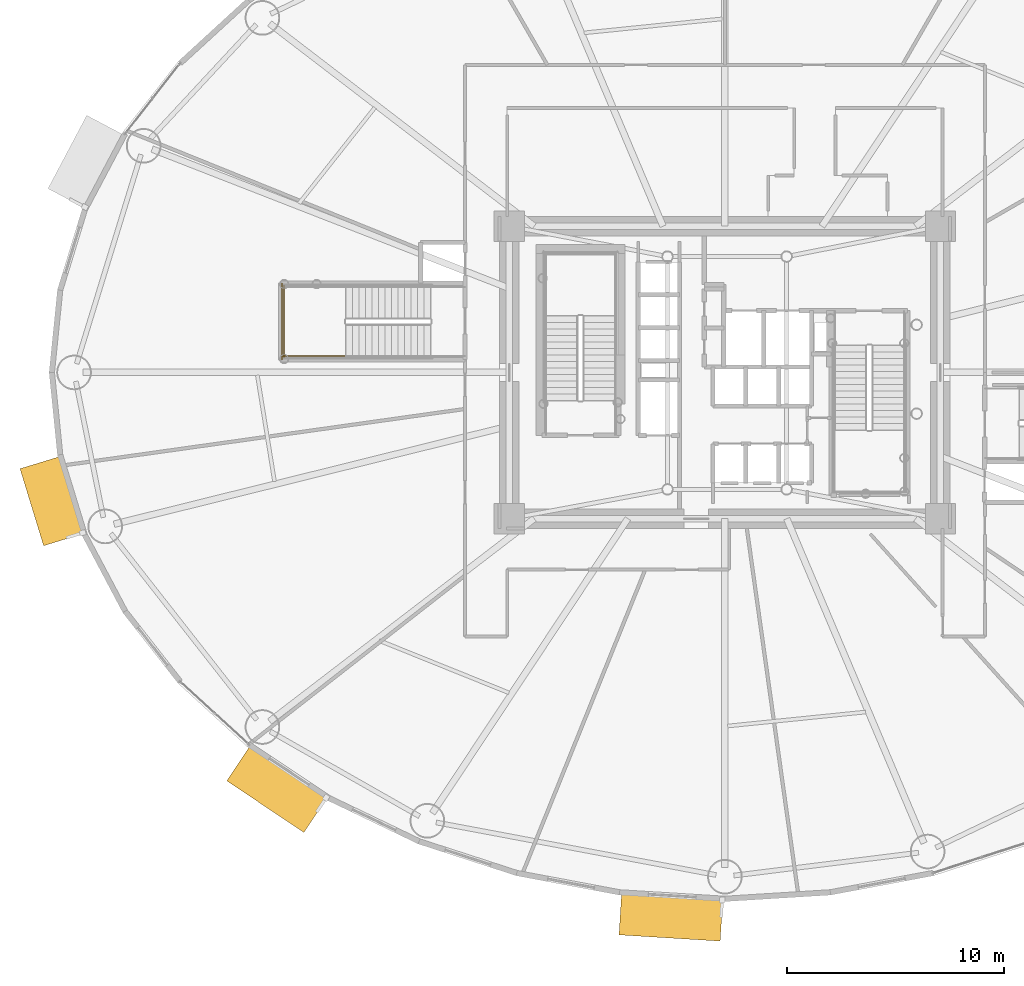
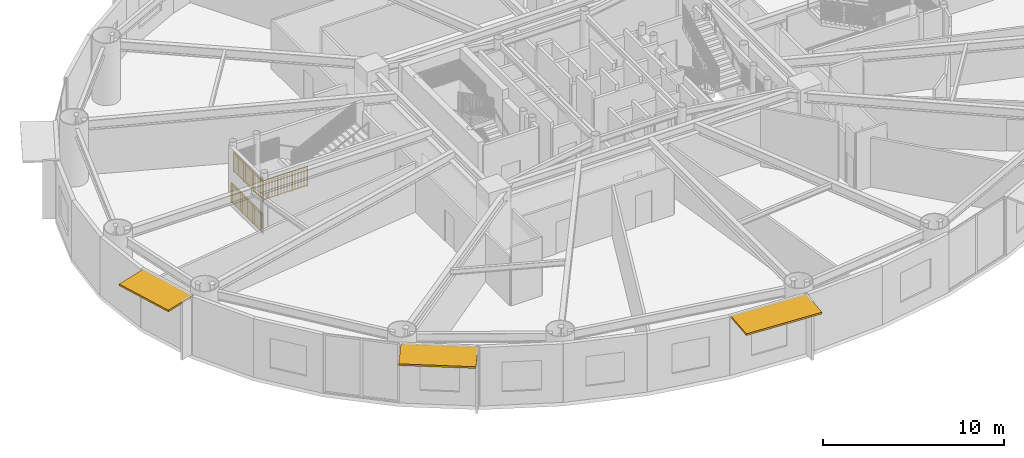
# One storey, part 18 of 29: 3 railings, 3 shading devices.
"""IFC4 building model written with IfcOpenShell, lengths in metres."""

from ifc_helpers import new_model, si_unit, direction, frame, origin, origin_2d, place, context, subcontext, project, spatial, rectangle, extrude, source, transform, mapped, material, layer, layer_set, type_object, element, save


model = new_model("IFC4")

# Units and contexts
model_context = context("Model", 3, precision=1e-05, world=origin(), true_north=direction((0.0, 1.0)))
body_context = subcontext(model_context, "Body", "Model", "MODEL_VIEW")
ifc_project = project(units=[si_unit("LENGTHUNIT", "METRE"), si_unit("AREAUNIT", "SQUARE_METRE"), si_unit("VOLUMEUNIT", "CUBIC_METRE"), si_unit("PLANEANGLEUNIT", "RADIAN"), si_unit("MASSUNIT", "GRAM", prefix="KILO")], contexts=[model_context])

# Site, building, storey
site_placement = place(None, origin())
site = spatial("IfcSite", under=ifc_project, at=site_placement, CompositionType="ELEMENT")
building_placement = place(site_placement, origin())
building = spatial("IfcBuilding", under=site, at=building_placement, Name="Linh Dai School and Residence Tower", CompositionType="ELEMENT")
storey_placement = place(building_placement, frame((0.0, 0.0, 45.0)))
storey = spatial("IfcBuildingStorey", under=building, at=storey_placement, Name="L10", CompositionType="ELEMENT", Elevation=45.0)

# Shading devices
ifc_material_1 = material(Name="Terracotta Ceramic Sunshade", Category="masonry")
ifc_layer = layer(ifc_material_1, 0.1201171875)
ifc_layer_set = layer_set([ifc_layer], Name="Terracotta Ceramic Sunshade")
shading_device_type = type_object("IfcShadingDeviceType", Name="SHD-TC-2000", PredefinedType="USERDEFINED", material=ifc_layer_set)
shared_shape_1 = source(origin(), body_context, "Body", "SweptSolid", [
    extrude(rectangle(XDim=3.7197265625, YDim=2.0, at=origin_2d()), origin(), (0.0, 0.0, 1.0), 0.1201171875),
])
shading_device_1_placement = place(storey_placement, frame((4.956787109375, 21.0693359375, 3.81005859375), z_axis=(0.0, 0.0, 1.0), x_axis=(-0.293145733514, 0.956067769001, 0.0)))
element("IfcShadingDevice", 1, at=shading_device_1_placement, inside=storey, type_object=shading_device_type, Name="L10 Terracotta Horizontal Sunshade Band 22", ObjectType="SUNSHADE", PredefinedType="USERDEFINED", context=body_context, shape_type="MappedRepresentation", body=[
    mapped(shared_shape_1, transform((0.0, 0.0, 0.0), x_axis=(1.0, 0.0, 0.0), y_axis=(0.0, 1.0, 0.0), z_axis=(0.0, 0.0, 1.0), scale=1.0)),
])
shared_shape_2 = source(origin(), body_context, "Body", "SweptSolid", [
    extrude(rectangle(XDim=4.28173828125, YDim=2.0, at=origin_2d()), origin(), (0.0, 0.0, 1.0), 0.1201171875),
])
shading_device_2_placement = place(storey_placement, frame((15.33544921875, 7.7861328125, 3.81005859375), z_axis=(0.0, 0.0, 1.0), x_axis=(-0.831250578927, 0.555897899828, 0.0)))
element("IfcShadingDevice", 2, at=shading_device_2_placement, inside=storey, type_object=shading_device_type, Name="L10 Terracotta Horizontal Sunshade Band 26", ObjectType="SUNSHADE", PredefinedType="USERDEFINED", context=body_context, shape_type="MappedRepresentation", body=[
    mapped(shared_shape_2, transform((0.0, 0.0, 0.0), x_axis=(1.0, 0.0, 0.0), y_axis=(0.0, 1.0, 0.0), z_axis=(0.0, 0.0, 1.0), scale=1.0)),
])
shared_shape_3 = source(origin(), body_context, "Body", "SweptSolid", [
    extrude(rectangle(XDim=4.6796875, YDim=2.0, at=origin_2d()), origin(), (0.0, 0.0, 1.0), 0.1201171875),
])
shading_device_3_placement = place(storey_placement, frame((33.50830078125, 1.88671875, 3.81005859375), z_axis=(0.0, 0.0, 1.0), x_axis=(-0.998106677027, 0.061506595367, 0.0)))
element("IfcShadingDevice", 3, at=shading_device_3_placement, inside=storey, type_object=shading_device_type, Name="L10 Terracotta Horizontal Sunshade Band 30", ObjectType="SUNSHADE", PredefinedType="USERDEFINED", context=body_context, shape_type="MappedRepresentation", body=[
    mapped(shared_shape_3, transform((0.0, 0.0, 0.0), x_axis=(1.0, 0.0, 0.0), y_axis=(0.0, 1.0, 0.0), z_axis=(0.0, 0.0, 1.0), scale=1.0)),
])

# Railings
ifc_material_2 = material(Name="Structural Steel S355JR", Category="steel")
railing_type = type_object("IfcRailingType", Name="RL-ST-GUARD-1400", PredefinedType="GUARDRAIL", material=ifc_material_2)
shared_shape_4 = source(origin(), body_context, "Body", "SweptSolid", [
    extrude(rectangle(XDim=0.048095703125, YDim=0.048095703125, at=origin_2d()), frame((0.0, 0.0, 1.3759765625), z_axis=(0.0, -1.0, 0.0), x_axis=(1.0, 0.0, 0.0)), (0.0, 0.0, 1.0), 3.300048828125),
    extrude(rectangle(XDim=0.048095703125, YDim=0.048095703125, at=origin_2d()), frame((0.0, 0.0, 0.10009765625), z_axis=(0.0, -1.0, 0.0), x_axis=(1.0, 0.0, 0.0)), (0.0, 0.0, 1.0), 3.300048828125),
    extrude(rectangle(XDim=0.030029296875, YDim=0.030029296875, at=origin_2d()), frame((0.0, 0.0, 1.239990234375), z_axis=(0.0, -1.0, 0.0), x_axis=(1.0, 0.0, 0.0)), (0.0, 0.0, 1.0), 3.300048828125),
    extrude(rectangle(XDim=0.02001953125, YDim=0.02001953125, at=origin_2d()), frame((0.0, -0.09716796875, 0.10009765625)), (0.0, 0.0, 1.0), 1.251708984375),
    extrude(rectangle(XDim=0.02001953125, YDim=0.02001953125, at=origin_2d()), frame((0.0, -0.194091796875, 0.10009765625)), (0.0, 0.0, 1.0), 1.251708984375),
    extrude(rectangle(XDim=0.02001953125, YDim=0.02001953125, at=origin_2d()), frame((0.0, -0.291259765625, 0.10009765625)), (0.0, 0.0, 1.0), 1.251708984375),
    extrude(rectangle(XDim=0.02001953125, YDim=0.02001953125, at=origin_2d()), frame((0.0, -0.38818359375, 0.10009765625)), (0.0, 0.0, 1.0), 1.251708984375),
    extrude(rectangle(XDim=0.02001953125, YDim=0.02001953125, at=origin_2d()), frame((0.0, -0.4853515625, 0.10009765625)), (0.0, 0.0, 1.0), 1.251708984375),
    extrude(rectangle(XDim=0.02001953125, YDim=0.02001953125, at=origin_2d()), frame((0.0, -0.582275390625, 0.10009765625)), (0.0, 0.0, 1.0), 1.251708984375),
    extrude(rectangle(XDim=0.02001953125, YDim=0.02001953125, at=origin_2d()), frame((0.0, -0.679443359375, 0.10009765625)), (0.0, 0.0, 1.0), 1.251708984375),
    extrude(rectangle(XDim=0.02001953125, YDim=0.02001953125, at=origin_2d()), frame((0.0, -0.7763671875, 0.10009765625)), (0.0, 0.0, 1.0), 1.251708984375),
    extrude(rectangle(XDim=0.02001953125, YDim=0.02001953125, at=origin_2d()), frame((0.0, -0.87353515625, 0.10009765625)), (0.0, 0.0, 1.0), 1.251708984375),
    extrude(rectangle(XDim=0.02001953125, YDim=0.02001953125, at=origin_2d()), frame((0.0, -0.970703125, 0.10009765625)), (0.0, 0.0, 1.0), 1.251708984375),
    extrude(rectangle(XDim=0.02001953125, YDim=0.02001953125, at=origin_2d()), frame((0.0, -1.164794921875, 0.10009765625)), (0.0, 0.0, 1.0), 1.251708984375),
    extrude(rectangle(XDim=0.02001953125, YDim=0.02001953125, at=origin_2d()), frame((0.0, -1.26171875, 0.10009765625)), (0.0, 0.0, 1.0), 1.251708984375),
    extrude(rectangle(XDim=0.02001953125, YDim=0.02001953125, at=origin_2d()), frame((0.0, -1.35888671875, 0.10009765625)), (0.0, 0.0, 1.0), 1.251708984375),
    extrude(rectangle(XDim=0.02001953125, YDim=0.02001953125, at=origin_2d()), frame((0.0, -1.455810546875, 0.10009765625)), (0.0, 0.0, 1.0), 1.251708984375),
    extrude(rectangle(XDim=0.02001953125, YDim=0.02001953125, at=origin_2d()), frame((0.0, -1.552978515625, 0.10009765625)), (0.0, 0.0, 1.0), 1.251708984375),
    extrude(rectangle(XDim=0.02001953125, YDim=0.02001953125, at=origin_2d()), frame((0.0, -1.64990234375, 0.10009765625)), (0.0, 0.0, 1.0), 1.251708984375),
    extrude(rectangle(XDim=0.02001953125, YDim=0.02001953125, at=origin_2d()), frame((0.0, -1.7470703125, 0.10009765625)), (0.0, 0.0, 1.0), 1.251708984375),
    extrude(rectangle(XDim=0.02001953125, YDim=0.02001953125, at=origin_2d()), frame((0.0, -1.84423828125, 0.10009765625)), (0.0, 0.0, 1.0), 1.251708984375),
    extrude(rectangle(XDim=0.02001953125, YDim=0.02001953125, at=origin_2d()), frame((0.0, -1.941162109375, 0.10009765625)), (0.0, 0.0, 1.0), 1.251708984375),
    extrude(rectangle(XDim=0.02001953125, YDim=0.02001953125, at=origin_2d()), frame((0.0, -2.038330078125, 0.10009765625)), (0.0, 0.0, 1.0), 1.251708984375),
    extrude(rectangle(XDim=0.02001953125, YDim=0.02001953125, at=origin_2d()), frame((0.0, -2.13525390625, 0.10009765625)), (0.0, 0.0, 1.0), 1.251708984375),
    extrude(rectangle(XDim=0.02001953125, YDim=0.02001953125, at=origin_2d()), frame((0.0, -2.329345703125, 0.10009765625)), (0.0, 0.0, 1.0), 1.251708984375),
    extrude(rectangle(XDim=0.02001953125, YDim=0.02001953125, at=origin_2d()), frame((0.0, -2.426513671875, 0.10009765625)), (0.0, 0.0, 1.0), 1.251708984375),
    extrude(rectangle(XDim=0.02001953125, YDim=0.02001953125, at=origin_2d()), frame((0.0, -2.523681640625, 0.10009765625)), (0.0, 0.0, 1.0), 1.251708984375),
    extrude(rectangle(XDim=0.02001953125, YDim=0.02001953125, at=origin_2d()), frame((0.0, -2.62060546875, 0.10009765625)), (0.0, 0.0, 1.0), 1.251708984375),
    extrude(rectangle(XDim=0.02001953125, YDim=0.02001953125, at=origin_2d()), frame((0.0, -2.7177734375, 0.10009765625)), (0.0, 0.0, 1.0), 1.251708984375),
    extrude(rectangle(XDim=0.02001953125, YDim=0.02001953125, at=origin_2d()), frame((0.0, -2.814697265625, 0.10009765625)), (0.0, 0.0, 1.0), 1.251708984375),
    extrude(rectangle(XDim=0.02001953125, YDim=0.02001953125, at=origin_2d()), frame((0.0, -2.911865234375, 0.10009765625)), (0.0, 0.0, 1.0), 1.251708984375),
    extrude(rectangle(XDim=0.02001953125, YDim=0.02001953125, at=origin_2d()), frame((0.0, -3.0087890625, 0.10009765625)), (0.0, 0.0, 1.0), 1.251708984375),
    extrude(rectangle(XDim=0.02001953125, YDim=0.02001953125, at=origin_2d()), frame((0.0, -3.10595703125, 0.10009765625)), (0.0, 0.0, 1.0), 1.251708984375),
    extrude(rectangle(XDim=0.02001953125, YDim=0.02001953125, at=origin_2d()), frame((0.0, -3.202880859375, 0.10009765625)), (0.0, 0.0, 1.0), 1.251708984375),
    extrude(rectangle(XDim=0.0419921875, YDim=0.0419921875, at=origin_2d()), origin(), (0.0, 0.0, 1.0), 1.3759765625),
    extrude(rectangle(XDim=0.0419921875, YDim=0.0419921875, at=origin_2d()), frame((0.0, -1.10009765625, 0.0)), (0.0, 0.0, 1.0), 1.3759765625),
    extrude(rectangle(XDim=0.0419921875, YDim=0.0419921875, at=origin_2d()), frame((0.0, -2.199951171875, 0.0)), (0.0, 0.0, 1.0), 1.3759765625),
    extrude(rectangle(XDim=0.0419921875, YDim=0.0419921875, at=origin_2d()), frame((0.0, -3.300048828125, 0.0)), (0.0, 0.0, 1.0), 1.3759765625),
])
railing_1_placement = place(storey_placement, frame((15.64990234375, 31.0, 2.10009765625)))
element("IfcRailing", 4, at=railing_1_placement, inside=storey, type_object=railing_type, Name="L10 STS1 stair guard 5", PredefinedType="GUARDRAIL", context=body_context, shape_type="MappedRepresentation", body=[
    mapped(shared_shape_4, transform((0.0, 0.0, 0.0), x_axis=(1.0, 0.0, 0.0), y_axis=(0.0, 1.0, 0.0), z_axis=(0.0, 0.0, 1.0), scale=1.0)),
])
shared_shape_5 = source(origin(), body_context, "Body", "SweptSolid", [
    extrude(rectangle(XDim=0.048095703125, YDim=0.048095703125, at=origin_2d()), frame((0.0, 0.0, 1.3759765625), z_axis=(-1.0, 0.0, 0.0), x_axis=(0.0, -1.0, 0.0)), (0.0, 0.0, 1.0), 2.89990234375),
    extrude(rectangle(XDim=0.048095703125, YDim=0.048095703125, at=origin_2d()), frame((0.0, 0.0, 0.10009765625), z_axis=(-1.0, 0.0, 0.0), x_axis=(0.0, -1.0, 0.0)), (0.0, 0.0, 1.0), 2.89990234375),
    extrude(rectangle(XDim=0.030029296875, YDim=0.030029296875, at=origin_2d()), frame((0.0, 0.0, 1.239990234375), z_axis=(-1.0, 0.0, 0.0), x_axis=(0.0, -1.0, 0.0)), (0.0, 0.0, 1.0), 2.89990234375),
    extrude(rectangle(XDim=0.02001953125, YDim=0.02001953125, at=origin_2d()), frame((-0.0966796875, 0.0, 0.10009765625)), (0.0, 0.0, 1.0), 1.251708984375),
    extrude(rectangle(XDim=0.02001953125, YDim=0.02001953125, at=origin_2d()), frame((-0.193359375, 0.0, 0.10009765625)), (0.0, 0.0, 1.0), 1.251708984375),
    extrude(rectangle(XDim=0.02001953125, YDim=0.02001953125, at=origin_2d()), frame((-0.2900390625, 0.0, 0.10009765625)), (0.0, 0.0, 1.0), 1.251708984375),
    extrude(rectangle(XDim=0.02001953125, YDim=0.02001953125, at=origin_2d()), frame((-0.38671875, 0.0, 0.10009765625)), (0.0, 0.0, 1.0), 1.251708984375),
    extrude(rectangle(XDim=0.02001953125, YDim=0.02001953125, at=origin_2d()), frame((-0.4833984375, 0.0, 0.10009765625)), (0.0, 0.0, 1.0), 1.251708984375),
    extrude(rectangle(XDim=0.02001953125, YDim=0.02001953125, at=origin_2d()), frame((-0.580078125, 0.0, 0.10009765625)), (0.0, 0.0, 1.0), 1.251708984375),
    extrude(rectangle(XDim=0.02001953125, YDim=0.02001953125, at=origin_2d()), frame((-0.6767578125, 0.0, 0.10009765625)), (0.0, 0.0, 1.0), 1.251708984375),
    extrude(rectangle(XDim=0.02001953125, YDim=0.02001953125, at=origin_2d()), frame((-0.773193359375, 0.0, 0.10009765625)), (0.0, 0.0, 1.0), 1.251708984375),
    extrude(rectangle(XDim=0.02001953125, YDim=0.02001953125, at=origin_2d()), frame((-0.869873046875, 0.0, 0.10009765625)), (0.0, 0.0, 1.0), 1.251708984375),
    extrude(rectangle(XDim=0.02001953125, YDim=0.02001953125, at=origin_2d()), frame((-1.063232421875, 0.0, 0.10009765625)), (0.0, 0.0, 1.0), 1.251708984375),
    extrude(rectangle(XDim=0.02001953125, YDim=0.02001953125, at=origin_2d()), frame((-1.159912109375, 0.0, 0.10009765625)), (0.0, 0.0, 1.0), 1.251708984375),
    extrude(rectangle(XDim=0.02001953125, YDim=0.02001953125, at=origin_2d()), frame((-1.256591796875, 0.0, 0.10009765625)), (0.0, 0.0, 1.0), 1.251708984375),
    extrude(rectangle(XDim=0.02001953125, YDim=0.02001953125, at=origin_2d()), frame((-1.353271484375, 0.0, 0.10009765625)), (0.0, 0.0, 1.0), 1.251708984375),
    extrude(rectangle(XDim=0.02001953125, YDim=0.02001953125, at=origin_2d()), frame((-1.449951171875, 0.0, 0.10009765625)), (0.0, 0.0, 1.0), 1.251708984375),
    extrude(rectangle(XDim=0.02001953125, YDim=0.02001953125, at=origin_2d()), frame((-1.546630859375, 0.0, 0.10009765625)), (0.0, 0.0, 1.0), 1.251708984375),
    extrude(rectangle(XDim=0.02001953125, YDim=0.02001953125, at=origin_2d()), frame((-1.643310546875, 0.0, 0.10009765625)), (0.0, 0.0, 1.0), 1.251708984375),
    extrude(rectangle(XDim=0.02001953125, YDim=0.02001953125, at=origin_2d()), frame((-1.739990234375, 0.0, 0.10009765625)), (0.0, 0.0, 1.0), 1.251708984375),
    extrude(rectangle(XDim=0.02001953125, YDim=0.02001953125, at=origin_2d()), frame((-1.836669921875, 0.0, 0.10009765625)), (0.0, 0.0, 1.0), 1.251708984375),
    extrude(rectangle(XDim=0.02001953125, YDim=0.02001953125, at=origin_2d()), frame((-2.030029296875, 0.0, 0.10009765625)), (0.0, 0.0, 1.0), 1.251708984375),
    extrude(rectangle(XDim=0.02001953125, YDim=0.02001953125, at=origin_2d()), frame((-2.126708984375, 0.0, 0.10009765625)), (0.0, 0.0, 1.0), 1.251708984375),
    extrude(rectangle(XDim=0.02001953125, YDim=0.02001953125, at=origin_2d()), frame((-2.22314453125, 0.0, 0.10009765625)), (0.0, 0.0, 1.0), 1.251708984375),
    extrude(rectangle(XDim=0.02001953125, YDim=0.02001953125, at=origin_2d()), frame((-2.31982421875, 0.0, 0.10009765625)), (0.0, 0.0, 1.0), 1.251708984375),
    extrude(rectangle(XDim=0.02001953125, YDim=0.02001953125, at=origin_2d()), frame((-2.41650390625, 0.0, 0.10009765625)), (0.0, 0.0, 1.0), 1.251708984375),
    extrude(rectangle(XDim=0.02001953125, YDim=0.02001953125, at=origin_2d()), frame((-2.51318359375, 0.0, 0.10009765625)), (0.0, 0.0, 1.0), 1.251708984375),
    extrude(rectangle(XDim=0.02001953125, YDim=0.02001953125, at=origin_2d()), frame((-2.60986328125, 0.0, 0.10009765625)), (0.0, 0.0, 1.0), 1.251708984375),
    extrude(rectangle(XDim=0.02001953125, YDim=0.02001953125, at=origin_2d()), frame((-2.70654296875, 0.0, 0.10009765625)), (0.0, 0.0, 1.0), 1.251708984375),
    extrude(rectangle(XDim=0.02001953125, YDim=0.02001953125, at=origin_2d()), frame((-2.80322265625, 0.0, 0.10009765625)), (0.0, 0.0, 1.0), 1.251708984375),
    extrude(rectangle(XDim=0.0419921875, YDim=0.0419921875, at=origin_2d()), origin(), (0.0, 0.0, 1.0), 1.3759765625),
    extrude(rectangle(XDim=0.0419921875, YDim=0.0419921875, at=origin_2d()), frame((-0.966552734375, 0.0, 0.0)), (0.0, 0.0, 1.0), 1.3759765625),
    extrude(rectangle(XDim=0.0419921875, YDim=0.0419921875, at=origin_2d()), frame((-1.933349609375, 0.0, 0.0)), (0.0, 0.0, 1.0), 1.3759765625),
    extrude(rectangle(XDim=0.0419921875, YDim=0.0419921875, at=origin_2d()), frame((-2.89990234375, 0.0, 0.0)), (0.0, 0.0, 1.0), 1.3759765625),
])
railing_2_placement = place(storey_placement, frame((18.5, 27.75, 2.10009765625)))
element("IfcRailing", 5, at=railing_2_placement, inside=storey, type_object=railing_type, Name="L10 STS1 stair guard 4", PredefinedType="GUARDRAIL", context=body_context, shape_type="MappedRepresentation", body=[
    mapped(shared_shape_5, transform((0.0, 0.0, 0.0), x_axis=(1.0, 0.0, 0.0), y_axis=(0.0, 1.0, 0.0), z_axis=(0.0, 0.0, 1.0), scale=1.0)),
])
shared_shape_6 = source(origin(), body_context, "Body", "SweptSolid", [
    extrude(rectangle(XDim=0.048095703125, YDim=0.048095703125, at=origin_2d()), frame((0.0, 0.0, 1.3759765625), z_axis=(0.0, -1.0, 0.0), x_axis=(1.0, 0.0, 0.0)), (0.0, 0.0, 1.0), 3.5),
    extrude(rectangle(XDim=0.048095703125, YDim=0.048095703125, at=origin_2d()), frame((0.0, 0.0, 0.10009765625), z_axis=(0.0, -1.0, 0.0), x_axis=(1.0, 0.0, 0.0)), (0.0, 0.0, 1.0), 3.5),
    extrude(rectangle(XDim=0.030029296875, YDim=0.030029296875, at=origin_2d()), frame((0.0, 0.0, 1.239990234375), z_axis=(0.0, -1.0, 0.0), x_axis=(1.0, 0.0, 0.0)), (0.0, 0.0, 1.0), 3.5),
    extrude(rectangle(XDim=0.02001953125, YDim=0.02001953125, at=origin_2d()), frame((0.0, -0.09716796875, 0.10009765625)), (0.0, 0.0, 1.0), 1.251708984375),
    extrude(rectangle(XDim=0.02001953125, YDim=0.02001953125, at=origin_2d()), frame((0.0, -0.1943359375, 0.10009765625)), (0.0, 0.0, 1.0), 1.251708984375),
    extrude(rectangle(XDim=0.02001953125, YDim=0.02001953125, at=origin_2d()), frame((0.0, -0.291748046875, 0.10009765625)), (0.0, 0.0, 1.0), 1.251708984375),
    extrude(rectangle(XDim=0.02001953125, YDim=0.02001953125, at=origin_2d()), frame((0.0, -0.388916015625, 0.10009765625)), (0.0, 0.0, 1.0), 1.251708984375),
    extrude(rectangle(XDim=0.02001953125, YDim=0.02001953125, at=origin_2d()), frame((0.0, -0.486083984375, 0.10009765625)), (0.0, 0.0, 1.0), 1.251708984375),
    extrude(rectangle(XDim=0.02001953125, YDim=0.02001953125, at=origin_2d()), frame((0.0, -0.583251953125, 0.10009765625)), (0.0, 0.0, 1.0), 1.251708984375),
    extrude(rectangle(XDim=0.02001953125, YDim=0.02001953125, at=origin_2d()), frame((0.0, -0.6806640625, 0.10009765625)), (0.0, 0.0, 1.0), 1.251708984375),
    extrude(rectangle(XDim=0.02001953125, YDim=0.02001953125, at=origin_2d()), frame((0.0, -0.77783203125, 0.10009765625)), (0.0, 0.0, 1.0), 1.251708984375),
    extrude(rectangle(XDim=0.02001953125, YDim=0.02001953125, at=origin_2d()), frame((0.0, -0.875, 0.10009765625)), (0.0, 0.0, 1.0), 1.251708984375),
    extrude(rectangle(XDim=0.02001953125, YDim=0.02001953125, at=origin_2d()), frame((0.0, -0.97216796875, 0.10009765625)), (0.0, 0.0, 1.0), 1.251708984375),
    extrude(rectangle(XDim=0.02001953125, YDim=0.02001953125, at=origin_2d()), frame((0.0, -1.0693359375, 0.10009765625)), (0.0, 0.0, 1.0), 1.251708984375),
    extrude(rectangle(XDim=0.02001953125, YDim=0.02001953125, at=origin_2d()), frame((0.0, -1.263916015625, 0.10009765625)), (0.0, 0.0, 1.0), 1.251708984375),
    extrude(rectangle(XDim=0.02001953125, YDim=0.02001953125, at=origin_2d()), frame((0.0, -1.361083984375, 0.10009765625)), (0.0, 0.0, 1.0), 1.251708984375),
    extrude(rectangle(XDim=0.02001953125, YDim=0.02001953125, at=origin_2d()), frame((0.0, -1.458251953125, 0.10009765625)), (0.0, 0.0, 1.0), 1.251708984375),
    extrude(rectangle(XDim=0.02001953125, YDim=0.02001953125, at=origin_2d()), frame((0.0, -1.5556640625, 0.10009765625)), (0.0, 0.0, 1.0), 1.251708984375),
    extrude(rectangle(XDim=0.02001953125, YDim=0.02001953125, at=origin_2d()), frame((0.0, -1.65283203125, 0.10009765625)), (0.0, 0.0, 1.0), 1.251708984375),
    extrude(rectangle(XDim=0.02001953125, YDim=0.02001953125, at=origin_2d()), frame((0.0, -1.75, 0.10009765625)), (0.0, 0.0, 1.0), 1.251708984375),
    extrude(rectangle(XDim=0.02001953125, YDim=0.02001953125, at=origin_2d()), frame((0.0, -1.84716796875, 0.10009765625)), (0.0, 0.0, 1.0), 1.251708984375),
    extrude(rectangle(XDim=0.02001953125, YDim=0.02001953125, at=origin_2d()), frame((0.0, -1.9443359375, 0.10009765625)), (0.0, 0.0, 1.0), 1.251708984375),
    extrude(rectangle(XDim=0.02001953125, YDim=0.02001953125, at=origin_2d()), frame((0.0, -2.041748046875, 0.10009765625)), (0.0, 0.0, 1.0), 1.251708984375),
    extrude(rectangle(XDim=0.02001953125, YDim=0.02001953125, at=origin_2d()), frame((0.0, -2.138916015625, 0.10009765625)), (0.0, 0.0, 1.0), 1.251708984375),
    extrude(rectangle(XDim=0.02001953125, YDim=0.02001953125, at=origin_2d()), frame((0.0, -2.236083984375, 0.10009765625)), (0.0, 0.0, 1.0), 1.251708984375),
    extrude(rectangle(XDim=0.02001953125, YDim=0.02001953125, at=origin_2d()), frame((0.0, -2.4306640625, 0.10009765625)), (0.0, 0.0, 1.0), 1.251708984375),
    extrude(rectangle(XDim=0.02001953125, YDim=0.02001953125, at=origin_2d()), frame((0.0, -2.52783203125, 0.10009765625)), (0.0, 0.0, 1.0), 1.251708984375),
    extrude(rectangle(XDim=0.02001953125, YDim=0.02001953125, at=origin_2d()), frame((0.0, -2.625, 0.10009765625)), (0.0, 0.0, 1.0), 1.251708984375),
    extrude(rectangle(XDim=0.02001953125, YDim=0.02001953125, at=origin_2d()), frame((0.0, -2.72216796875, 0.10009765625)), (0.0, 0.0, 1.0), 1.251708984375),
    extrude(rectangle(XDim=0.02001953125, YDim=0.02001953125, at=origin_2d()), frame((0.0, -2.8193359375, 0.10009765625)), (0.0, 0.0, 1.0), 1.251708984375),
    extrude(rectangle(XDim=0.02001953125, YDim=0.02001953125, at=origin_2d()), frame((0.0, -2.916748046875, 0.10009765625)), (0.0, 0.0, 1.0), 1.251708984375),
    extrude(rectangle(XDim=0.02001953125, YDim=0.02001953125, at=origin_2d()), frame((0.0, -3.013916015625, 0.10009765625)), (0.0, 0.0, 1.0), 1.251708984375),
    extrude(rectangle(XDim=0.02001953125, YDim=0.02001953125, at=origin_2d()), frame((0.0, -3.111083984375, 0.10009765625)), (0.0, 0.0, 1.0), 1.251708984375),
    extrude(rectangle(XDim=0.02001953125, YDim=0.02001953125, at=origin_2d()), frame((0.0, -3.208251953125, 0.10009765625)), (0.0, 0.0, 1.0), 1.251708984375),
    extrude(rectangle(XDim=0.02001953125, YDim=0.02001953125, at=origin_2d()), frame((0.0, -3.3056640625, 0.10009765625)), (0.0, 0.0, 1.0), 1.251708984375),
    extrude(rectangle(XDim=0.02001953125, YDim=0.02001953125, at=origin_2d()), frame((0.0, -3.40283203125, 0.10009765625)), (0.0, 0.0, 1.0), 1.251708984375),
    extrude(rectangle(XDim=0.0419921875, YDim=0.0419921875, at=origin_2d()), origin(), (0.0, 0.0, 1.0), 1.3759765625),
    extrude(rectangle(XDim=0.0419921875, YDim=0.0419921875, at=origin_2d()), frame((0.0, -1.166748046875, 0.0)), (0.0, 0.0, 1.0), 1.3759765625),
    extrude(rectangle(XDim=0.0419921875, YDim=0.0419921875, at=origin_2d()), frame((0.0, -2.333251953125, 0.0)), (0.0, 0.0, 1.0), 1.3759765625),
    extrude(rectangle(XDim=0.0419921875, YDim=0.0419921875, at=origin_2d()), frame((0.0, -3.5, 0.0)), (0.0, 0.0, 1.0), 1.3759765625),
])
railing_3_placement = place(storey_placement, frame((15.550048828125, 31.10009765625, 0.0)))
element("IfcRailing", 6, at=railing_3_placement, inside=storey, type_object=railing_type, Name="L10 STS1 stair guard 12", PredefinedType="GUARDRAIL", context=body_context, shape_type="MappedRepresentation", body=[
    mapped(shared_shape_6, transform((0.0, 0.0, 0.0), x_axis=(1.0, 0.0, 0.0), y_axis=(0.0, 1.0, 0.0), z_axis=(0.0, 0.0, 1.0), scale=1.0)),
])

save(model, "model.ifc")
